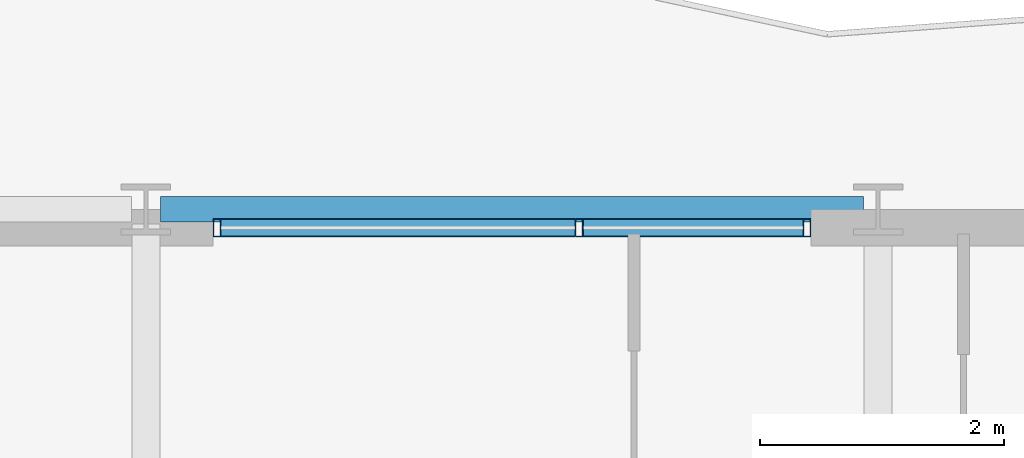
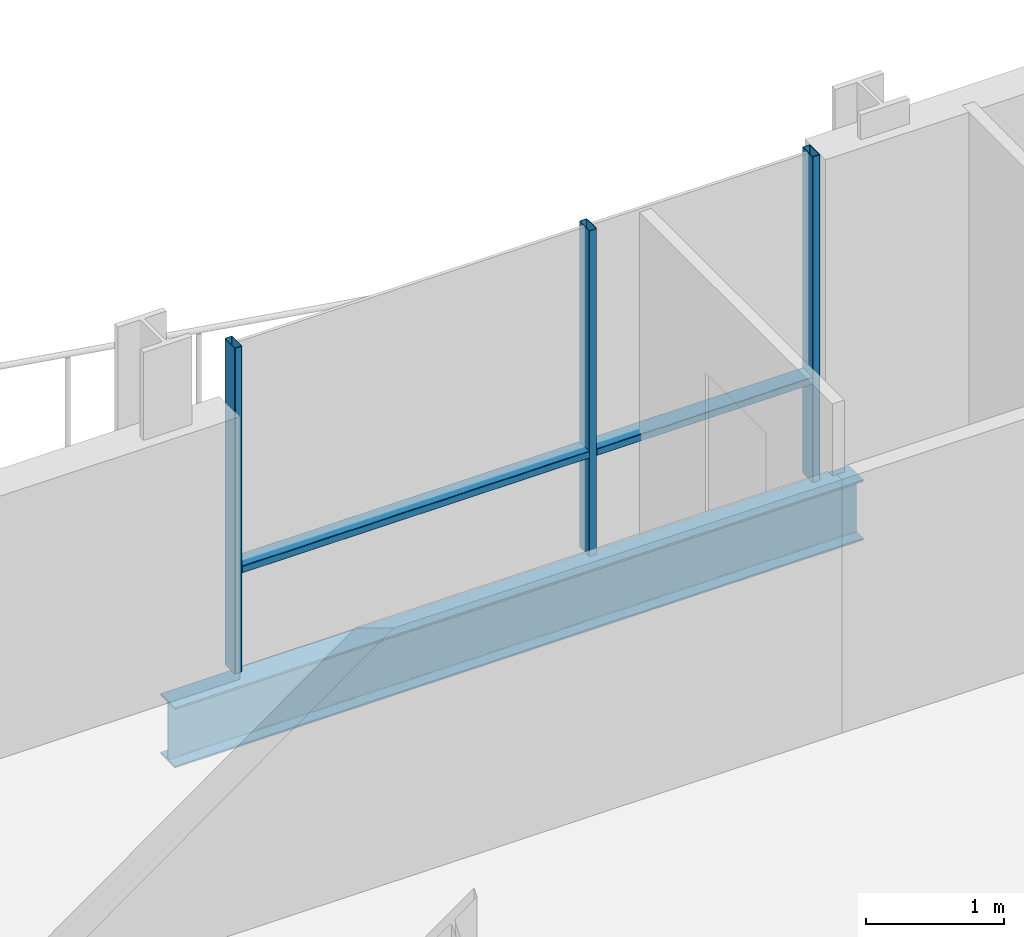
# One storey, part 26 of 41: 5 members, 1 beam, 1 element without a shape of its own.
"""IFC4 building model written with IfcOpenShell, lengths in metres."""

from ifc_helpers import new_model, si_unit, direction, frame, origin, origin_2d, place, context, subcontext, project, spatial, hollow_rectangle, i_section, extrude, material, layer, layer_set, material_profile, profile_set, type_object, element, aggregate, save


model = new_model("IFC4")

# Units and contexts
model_context = context("Model", 3, precision=1e-05, world=origin(), true_north=direction((0.0, 1.0)))
body_context = subcontext(model_context, "Body", "Model", "MODEL_VIEW")
ifc_project = project(units=[si_unit("LENGTHUNIT", "METRE"), si_unit("AREAUNIT", "SQUARE_METRE"), si_unit("VOLUMEUNIT", "CUBIC_METRE"), si_unit("PLANEANGLEUNIT", "RADIAN"), si_unit("MASSUNIT", "GRAM", prefix="KILO")], contexts=[model_context])

# Site, building, storey
site_placement = place(None, origin())
site = spatial("IfcSite", under=ifc_project, at=site_placement, CompositionType="ELEMENT")
building_placement = place(site_placement, origin())
building = spatial("IfcBuilding", under=site, at=building_placement, Name="Brevholm Reach", CompositionType="ELEMENT")
storey_placement = place(building_placement, frame((0.0, 0.0, 163.5)))
storey = spatial("IfcBuildingStorey", under=building, at=storey_placement, Name="L49", CompositionType="ELEMENT", Elevation=163.5)

# Beam
ifc_material_1 = material(Name="Structural Steel S355J2", Category="steel")
ifc_material_profile_1 = material_profile(ifc_material_1, i_section(OverallWidth=0.209228515625, OverallDepth=0.533203125, WebThickness=0.010009765625, FlangeThickness=0.015625, FilletRadius=0.0126953125, at=origin_2d()), Name="UKB 533x210x92")
ifc_profile_set_1 = profile_set([ifc_material_profile_1], Name="Structural Steel S355J2")
beam_type = type_object("IfcBeamType", Name="BM-SP533", PredefinedType="SPANDREL", material=ifc_profile_set_1)
beam_placement = place(storey_placement, frame((48.1201171875, 31.0, -0.486572265625), z_axis=(1.0, 0.0, 0.0), x_axis=(0.0, 1.0, 0.0)))
element("IfcBeam", 1, at=beam_placement, inside=storey, type_object=beam_type, Name="L49 SP-02 Framing Beam", PredefinedType="SPANDREL", context=body_context, shape_type="SweptSolid", body=[
    extrude(i_section(OverallWidth=0.209228515625, OverallDepth=0.533203125, WebThickness=0.010009765625, FlangeThickness=0.015625, FilletRadius=0.0126953125, at=origin_2d()), origin(), (0.0, 0.0, 1.0), 5.759765625),
])

# Curtain wall, members
ifc_material_2 = material(Name="Dark Anodised Aluminium 6063-T6 and Solar-Control Glass", Category="aluminium")
ifc_layer = layer(ifc_material_2, 0.14990234375)
ifc_layer_set = layer_set([ifc_layer], Name="Dark Anodised Aluminium 6063-T6 and Solar-Control Glass")
curtain_wall_type = type_object("IfcCurtainWallType", Name="CW-01", PredefinedType="NOTDEFINED", material=ifc_layer_set)
curtain_wall_placement = place(storey_placement, origin())
curtain_wall = element("IfcCurtainWall", 2, at=curtain_wall_placement, inside=storey, type_object=curtain_wall_type, Name="L49 Curtain Wall CW-01", PredefinedType="NOTDEFINED")
ifc_material_3 = material(Name="Dark Anodised Aluminium 6063-T6", Category="aluminium")
ifc_material_profile_2 = material_profile(ifc_material_3, hollow_rectangle(XDim=0.06494140625, YDim=0.14990234375, WallThickness=0.0048828125, InnerFilletRadius=0.0048828125, OuterFilletRadius=0.010009765625, at=origin_2d()), Name="RHS 150x65x5")
ifc_profile_set_2 = profile_set([ifc_material_profile_2], Name="Dark Anodised Aluminium 6063-T6")
member_type_1 = type_object("IfcMemberType", Name="CWM-150", PredefinedType="MULLION", material=ifc_profile_set_2)
member_1_placement = place(storey_placement, frame((48.58251953125, 30.85009765625, 0.0), z_axis=(0.0, 0.0, 1.0), x_axis=(1.0, 0.0, 0.0)))
member_1 = element("IfcMember", 3, at=member_1_placement, type_object=member_type_1, Name="CM-150 Mullion 1", PredefinedType="MULLION", context=body_context, shape_type="SweptSolid", body=[
    extrude(hollow_rectangle(XDim=0.06494140625, YDim=0.14990234375, WallThickness=0.0048828125, InnerFilletRadius=0.0048828125, OuterFilletRadius=0.010009765625, at=origin_2d()), origin(), (0.0, 0.0, 1.0), 2.8798828125),
])
member_2_placement = place(storey_placement, frame((51.550048828125, 30.85009765625, 0.0), z_axis=(0.0, 0.0, 1.0), x_axis=(1.0, 0.0, 0.0)))
member_2 = element("IfcMember", 4, at=member_2_placement, type_object=member_type_1, Name="CM-150 Mullion 2", PredefinedType="MULLION", context=body_context, shape_type="SweptSolid", body=[
    extrude(hollow_rectangle(XDim=0.06494140625, YDim=0.14990234375, WallThickness=0.0048828125, InnerFilletRadius=0.0048828125, OuterFilletRadius=0.010009765625, at=origin_2d()), origin(), (0.0, 0.0, 1.0), 2.8798828125),
])
member_3_placement = place(storey_placement, frame((53.41748046875, 30.85009765625, 0.0), z_axis=(0.0, 0.0, 1.0), x_axis=(1.0, 0.0, 0.0)))
member_3 = element("IfcMember", 5, at=member_3_placement, type_object=member_type_1, Name="CM-150 Mullion 3", PredefinedType="MULLION", context=body_context, shape_type="SweptSolid", body=[
    extrude(hollow_rectangle(XDim=0.06494140625, YDim=0.14990234375, WallThickness=0.0048828125, InnerFilletRadius=0.0048828125, OuterFilletRadius=0.010009765625, at=origin_2d()), origin(), (0.0, 0.0, 1.0), 2.8798828125),
])
ifc_material_4 = material(Name="Dark Anodised Aluminium 6063-T6", Category="aluminium")
ifc_material_profile_3 = material_profile(ifc_material_4, hollow_rectangle(XDim=0.06494140625, YDim=0.14990234375, WallThickness=0.0048828125, InnerFilletRadius=0.0048828125, OuterFilletRadius=0.010009765625, at=origin_2d()), Name="RHS 150x65x5")
ifc_profile_set_3 = profile_set([ifc_material_profile_3], Name="Dark Anodised Aluminium 6063-T6")
member_type_2 = type_object("IfcMemberType", Name="CWT-150", PredefinedType="NOTDEFINED", material=ifc_profile_set_3)
member_4_placement = place(storey_placement, frame((48.614990234375, 30.85009765625, 0.89990234375), z_axis=(1.0, 0.0, 0.0), x_axis=(0.0, 0.0, 1.0)))
member_4 = element("IfcMember", 6, at=member_4_placement, type_object=member_type_2, Name="CT-150 Transom 1.1", ObjectType="TRANSOM", PredefinedType="USERDEFINED", context=body_context, shape_type="SweptSolid", body=[
    extrude(hollow_rectangle(XDim=0.06494140625, YDim=0.14990234375, WallThickness=0.0048828125, InnerFilletRadius=0.0048828125, OuterFilletRadius=0.010009765625, at=origin_2d()), origin(), (0.0, 0.0, 1.0), 2.902587890625),
])
member_5_placement = place(storey_placement, frame((51.58251953125, 30.85009765625, 0.89990234375), z_axis=(1.0, 0.0, 0.0), x_axis=(0.0, 0.0, 1.0)))
member_5 = element("IfcMember", 7, at=member_5_placement, type_object=member_type_2, Name="CT-150 Transom 2.1", ObjectType="TRANSOM", PredefinedType="USERDEFINED", context=body_context, shape_type="SweptSolid", body=[
    extrude(hollow_rectangle(XDim=0.06494140625, YDim=0.14990234375, WallThickness=0.0048828125, InnerFilletRadius=0.0048828125, OuterFilletRadius=0.010009765625, at=origin_2d()), origin(), (0.0, 0.0, 1.0), 1.802490234375),
])
aggregate(curtain_wall, [member_1, member_2, member_3, member_4, member_5])

save(model, "model.ifc")
